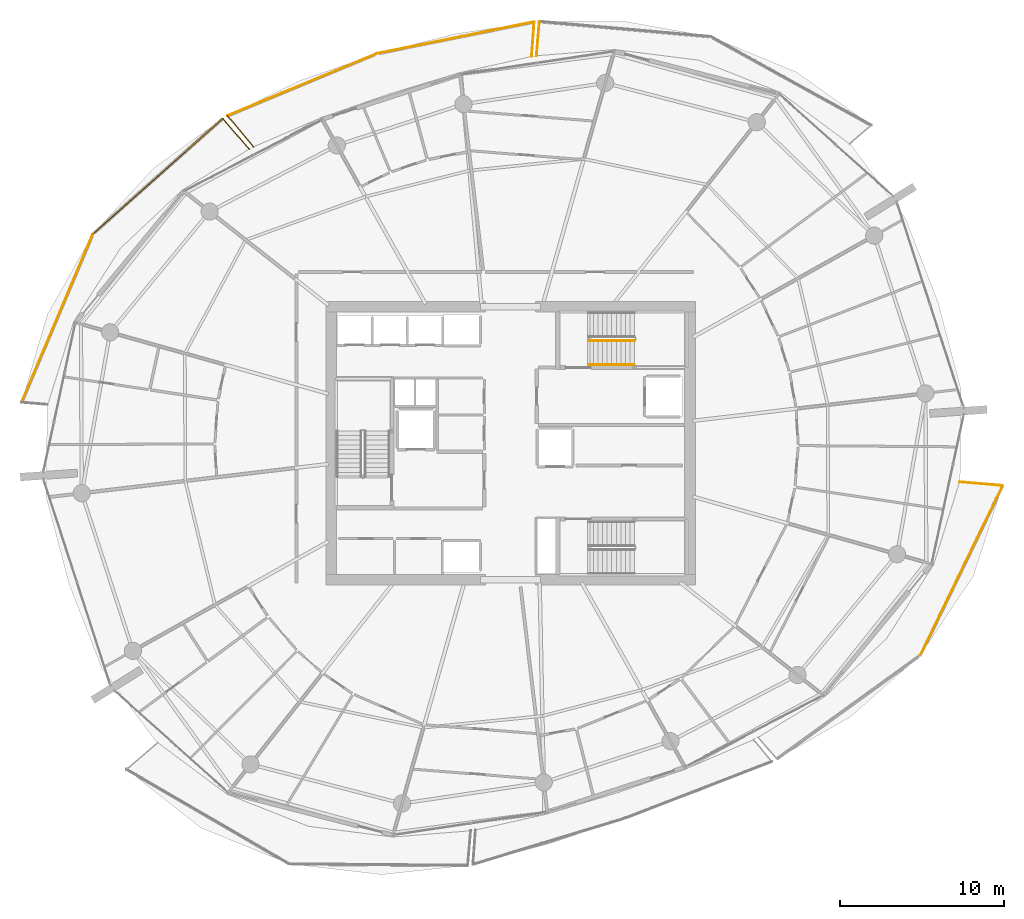
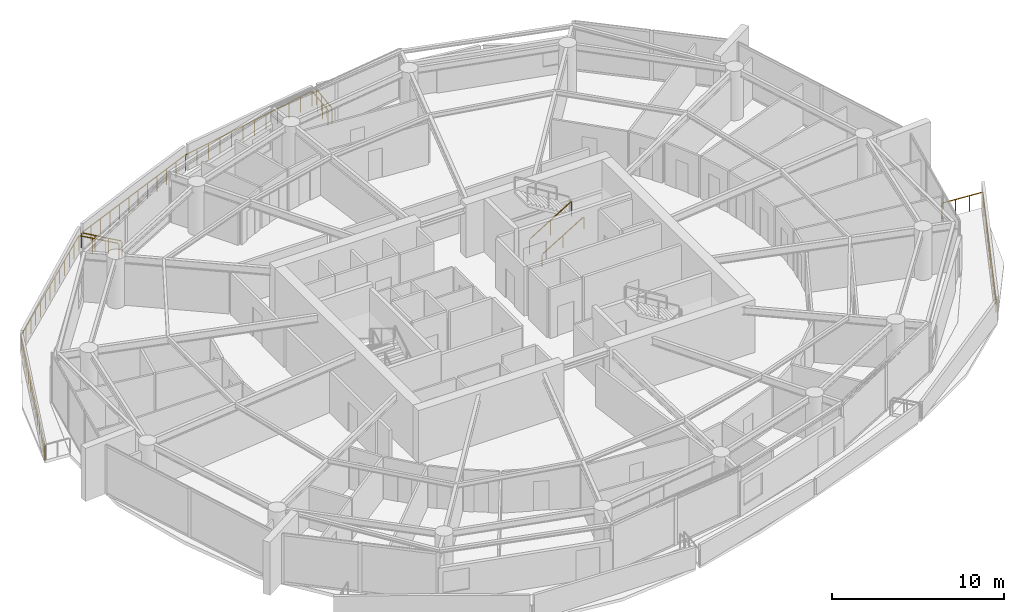
# One storey, part 19 of 20: 12 railings.
"""IFC4 building model written with IfcOpenShell, lengths in metres."""

from ifc_helpers import new_model, si_unit, direction, frame, origin, origin_2d, place, context, subcontext, project, spatial, rectangle, extrude, material, type_object, element, save


model = new_model("IFC4")

# Units and contexts
model_context = context("Model", 3, precision=1e-05, world=origin(), true_north=direction((0.0, 1.0)))
body_context = subcontext(model_context, "Body", "Model", "MODEL_VIEW")
ifc_project = project(units=[si_unit("LENGTHUNIT", "METRE"), si_unit("AREAUNIT", "SQUARE_METRE"), si_unit("VOLUMEUNIT", "CUBIC_METRE"), si_unit("PLANEANGLEUNIT", "RADIAN"), si_unit("MASSUNIT", "GRAM", prefix="KILO")], contexts=[model_context])

# Site, building, storey
site_placement = place(None, origin())
site = spatial("IfcSite", under=ifc_project, at=site_placement, CompositionType="ELEMENT")
building_placement = place(site_placement, origin())
building = spatial("IfcBuilding", under=site, at=building_placement, Name="Kazma Halo Residences", CompositionType="ELEMENT")
storey_placement = place(building_placement, frame((0.0, 0.0, 210.300048828125)))
storey = spatial("IfcBuildingStorey", under=building, at=storey_placement, Name="L53", CompositionType="ELEMENT", Elevation=210.300048828125)

# Railings
ifc_material_1 = material(Name="Aluminium AW-6063 T6 Brushed Cap Rail", Category="aluminium")
railing_type_1 = type_object("IfcRailingType", Name="RLG-BAL-CAP-1120", PredefinedType="BALUSTRADE", material=ifc_material_1)
railing_1_placement = place(storey_placement, frame((50.184814453125, 67.748046875, 0.0)))
element("IfcRailing", 1, at=railing_1_placement, inside=storey, type_object=railing_type_1, Name="L53 NE wave balcony guard 4", PredefinedType="BALUSTRADE", context=body_context, shape_type="SweptSolid", body=[
    extrude(rectangle(XDim=0.050048828125, YDim=0.050048828125, at=origin_2d()), frame((-0.003662109375, -0.04248046875, 1.09521484375), z_axis=(-0.084652453304, -0.99641053896, 0.0), x_axis=(0.99641053896, -0.084652453304, 0.0)), (0.0, 0.0, 1.0), 2.014404296875),
    extrude(rectangle(XDim=0.0400390625, YDim=0.0400390625, at=origin_2d()), origin(), (0.0, 0.0, 1.0), 1.05810546875),
    extrude(rectangle(XDim=0.0400390625, YDim=0.0400390625, at=origin_2d()), frame((-0.059326171875, -0.697265625, 0.0)), (0.0, 0.0, 1.0), 1.05810546875),
    extrude(rectangle(XDim=0.0400390625, YDim=0.0400390625, at=origin_2d()), frame((-0.118408203125, -1.394775390625, 0.0)), (0.0, 0.0, 1.0), 1.05810546875),
    extrude(rectangle(XDim=0.0400390625, YDim=0.0400390625, at=origin_2d()), frame((-0.177734375, -2.092041015625, 0.0)), (0.0, 0.0, 1.0), 1.05810546875),
])
railing_2_placement = place(storey_placement, frame((49.713134765625, 65.612060546875, 0.0)))
element("IfcRailing", 2, at=railing_2_placement, inside=storey, type_object=railing_type_1, Name="L53 NNW wave balcony guard 1", PredefinedType="BALUSTRADE", context=body_context, shape_type="SweptSolid", body=[
    extrude(rectangle(XDim=0.050048828125, YDim=0.050048828125, at=origin_2d()), frame((0.003173828125, 0.04248046875, 1.09521484375), z_axis=(0.072404117372, 0.997375377572, 0.0), x_axis=(-0.997375377572, 0.072404117372, 0.0)), (0.0, 0.0, 1.0), 2.029052734375),
    extrude(rectangle(XDim=0.0400390625, YDim=0.0400390625, at=origin_2d()), origin(), (0.0, 0.0, 1.0), 1.05810546875),
    extrude(rectangle(XDim=0.0400390625, YDim=0.0400390625, at=origin_2d()), frame((0.051025390625, 0.702880859375, 0.0)), (0.0, 0.0, 1.0), 1.05810546875),
    extrude(rectangle(XDim=0.0400390625, YDim=0.0400390625, at=origin_2d()), frame((0.10205078125, 1.40576171875, 0.0)), (0.0, 0.0, 1.0), 1.05810546875),
    extrude(rectangle(XDim=0.0400390625, YDim=0.0400390625, at=origin_2d()), frame((0.153076171875, 2.108642578125, 0.0)), (0.0, 0.0, 1.0), 1.05810546875),
])
railing_3_placement = place(storey_placement, frame((49.8662109375, 67.720703125, 0.0)))
element("IfcRailing", 3, at=railing_3_placement, inside=storey, type_object=railing_type_1, Name="L53 NNW wave balcony guard 2", PredefinedType="BALUSTRADE", context=body_context, shape_type="SweptSolid", body=[
    extrude(rectangle(XDim=0.050048828125, YDim=0.050048828125, at=origin_2d()), frame((-0.041748046875, -0.00830078125, 1.09521484375), z_axis=(-0.980370024715, -0.19716646429, 0.0), x_axis=(0.19716646429, -0.980370024715, 0.0)), (0.0, 0.0, 1.0), 9.703369140625),
    extrude(rectangle(XDim=0.0400390625, YDim=0.0400390625, at=origin_2d()), origin(), (0.0, 0.0, 1.0), 1.05810546875),
    extrude(rectangle(XDim=0.0400390625, YDim=0.0400390625, at=origin_2d()), frame((-0.872314453125, -0.175537109375, 0.0)), (0.0, 0.0, 1.0), 1.05810546875),
    extrude(rectangle(XDim=0.0400390625, YDim=0.0400390625, at=origin_2d()), frame((-1.744873046875, -0.350830078125, 0.0)), (0.0, 0.0, 1.0), 1.05810546875),
    extrude(rectangle(XDim=0.0400390625, YDim=0.0400390625, at=origin_2d()), frame((-2.6171875, -0.5263671875, 0.0)), (0.0, 0.0, 1.0), 1.05810546875),
    extrude(rectangle(XDim=0.0400390625, YDim=0.0400390625, at=origin_2d()), frame((-3.489501953125, -0.701904296875, 0.0)), (0.0, 0.0, 1.0), 1.05810546875),
    extrude(rectangle(XDim=0.0400390625, YDim=0.0400390625, at=origin_2d()), frame((-4.36181640625, -0.877197265625, 0.0)), (0.0, 0.0, 1.0), 1.05810546875),
    extrude(rectangle(XDim=0.0400390625, YDim=0.0400390625, at=origin_2d()), frame((-5.234375, -1.052734375, 0.0)), (0.0, 0.0, 1.0), 1.05810546875),
    extrude(rectangle(XDim=0.0400390625, YDim=0.0400390625, at=origin_2d()), frame((-6.106689453125, -1.22802734375, 0.0)), (0.0, 0.0, 1.0), 1.05810546875),
    extrude(rectangle(XDim=0.0400390625, YDim=0.0400390625, at=origin_2d()), frame((-6.97900390625, -1.403564453125, 0.0)), (0.0, 0.0, 1.0), 1.05810546875),
    extrude(rectangle(XDim=0.0400390625, YDim=0.0400390625, at=origin_2d()), frame((-7.851318359375, -1.5791015625, 0.0)), (0.0, 0.0, 1.0), 1.05810546875),
    extrude(rectangle(XDim=0.0400390625, YDim=0.0400390625, at=origin_2d()), frame((-8.723876953125, -1.75439453125, 0.0)), (0.0, 0.0, 1.0), 1.05810546875),
    extrude(rectangle(XDim=0.0400390625, YDim=0.0400390625, at=origin_2d()), frame((-9.59619140625, -1.929931640625, 0.0)), (0.0, 0.0, 1.0), 1.05810546875),
])
railing_4_placement = place(storey_placement, frame((40.27001953125, 65.790771484375, 0.0)))
element("IfcRailing", 4, at=railing_4_placement, inside=storey, type_object=railing_type_1, Name="L53 NNW wave balcony guard 3", PredefinedType="BALUSTRADE", context=body_context, shape_type="SweptSolid", body=[
    extrude(rectangle(XDim=0.050048828125, YDim=0.050048828125, at=origin_2d()), frame((-0.039306640625, -0.016357421875, 1.09521484375), z_axis=(-0.923265195377, -0.384163219226, 0.0), x_axis=(0.384163219226, -0.923265195377, 0.0)), (0.0, 0.0, 1.0), 9.807373046875),
    extrude(rectangle(XDim=0.0400390625, YDim=0.0400390625, at=origin_2d()), origin(), (0.0, 0.0, 1.0), 1.05810546875),
    extrude(rectangle(XDim=0.0400390625, YDim=0.0400390625, at=origin_2d()), frame((-0.830322265625, -0.345458984375, 0.0)), (0.0, 0.0, 1.0), 1.05810546875),
    extrude(rectangle(XDim=0.0400390625, YDim=0.0400390625, at=origin_2d()), frame((-1.66064453125, -0.69091796875, 0.0)), (0.0, 0.0, 1.0), 1.05810546875),
    extrude(rectangle(XDim=0.0400390625, YDim=0.0400390625, at=origin_2d()), frame((-2.490966796875, -1.036376953125, 0.0)), (0.0, 0.0, 1.0), 1.05810546875),
    extrude(rectangle(XDim=0.0400390625, YDim=0.0400390625, at=origin_2d()), frame((-3.3212890625, -1.3818359375, 0.0)), (0.0, 0.0, 1.0), 1.05810546875),
    extrude(rectangle(XDim=0.0400390625, YDim=0.0400390625, at=origin_2d()), frame((-4.151611328125, -1.727294921875, 0.0)), (0.0, 0.0, 1.0), 1.05810546875),
    extrude(rectangle(XDim=0.0400390625, YDim=0.0400390625, at=origin_2d()), frame((-4.981689453125, -2.072998046875, 0.0)), (0.0, 0.0, 1.0), 1.05810546875),
    extrude(rectangle(XDim=0.0400390625, YDim=0.0400390625, at=origin_2d()), frame((-5.81201171875, -2.41845703125, 0.0)), (0.0, 0.0, 1.0), 1.05810546875),
    extrude(rectangle(XDim=0.0400390625, YDim=0.0400390625, at=origin_2d()), frame((-6.642333984375, -2.763916015625, 0.0)), (0.0, 0.0, 1.0), 1.05810546875),
    extrude(rectangle(XDim=0.0400390625, YDim=0.0400390625, at=origin_2d()), frame((-7.47265625, -3.109375, 0.0)), (0.0, 0.0, 1.0), 1.05810546875),
    extrude(rectangle(XDim=0.0400390625, YDim=0.0400390625, at=origin_2d()), frame((-8.302978515625, -3.454833984375, 0.0)), (0.0, 0.0, 1.0), 1.05810546875),
    extrude(rectangle(XDim=0.0400390625, YDim=0.0400390625, at=origin_2d()), frame((-9.13330078125, -3.80029296875, 0.0)), (0.0, 0.0, 1.0), 1.05810546875),
])
railing_5_placement = place(storey_placement, frame((31.13671875, 61.990478515625, 0.0)))
element("IfcRailing", 5, at=railing_5_placement, inside=storey, type_object=railing_type_1, Name="L53 NNW wave balcony guard 4", PredefinedType="BALUSTRADE", context=body_context, shape_type="SweptSolid", body=[
    extrude(rectangle(XDim=0.050048828125, YDim=0.050048828125, at=origin_2d()), frame((0.02734375, -0.032470703125, 1.09521484375), z_axis=(0.644745092469, -0.764397648961, 0.0), x_axis=(0.764397648961, 0.644745092469, 0.0)), (0.0, 0.0, 1.0), 2.39404296875),
    extrude(rectangle(XDim=0.0400390625, YDim=0.0400390625, at=origin_2d()), origin(), (0.0, 0.0, 1.0), 1.05810546875),
    extrude(rectangle(XDim=0.0400390625, YDim=0.0400390625, at=origin_2d()), frame((0.53271484375, -0.631591796875, 0.0)), (0.0, 0.0, 1.0), 1.05810546875),
    extrude(rectangle(XDim=0.0400390625, YDim=0.0400390625, at=origin_2d()), frame((1.065673828125, -1.263427734375, 0.0)), (0.0, 0.0, 1.0), 1.05810546875),
    extrude(rectangle(XDim=0.0400390625, YDim=0.0400390625, at=origin_2d()), frame((1.598388671875, -1.89501953125, 0.0)), (0.0, 0.0, 1.0), 1.05810546875),
])
railing_6_placement = place(storey_placement, frame((32.471435546875, 59.958251953125, 0.0)))
element("IfcRailing", 6, at=railing_6_placement, inside=storey, type_object=railing_type_1, Name="L53 NW wave balcony guard 1", PredefinedType="BALUSTRADE", context=body_context, shape_type="SweptSolid", body=[
    extrude(rectangle(XDim=0.050048828125, YDim=0.050048828125, at=origin_2d()), frame((-0.02783203125, 0.0322265625, 1.09521484375), z_axis=(-0.654106085703, 0.756402821681, 0.0), x_axis=(-0.756402821681, -0.654106085703, 0.0)), (0.0, 0.0, 1.0), 2.385009765625),
    extrude(rectangle(XDim=0.0400390625, YDim=0.0400390625, at=origin_2d()), origin(), (0.0, 0.0, 1.0), 1.05810546875),
    extrude(rectangle(XDim=0.0400390625, YDim=0.0400390625, at=origin_2d()), frame((-0.53857421875, 0.622802734375, 0.0)), (0.0, 0.0, 1.0), 1.05810546875),
    extrude(rectangle(XDim=0.0400390625, YDim=0.0400390625, at=origin_2d()), frame((-1.0771484375, 1.24560546875, 0.0)), (0.0, 0.0, 1.0), 1.05810546875),
    extrude(rectangle(XDim=0.0400390625, YDim=0.0400390625, at=origin_2d()), frame((-1.61572265625, 1.868408203125, 0.0)), (0.0, 0.0, 1.0), 1.05810546875),
])
railing_7_placement = place(storey_placement, frame((30.855712890625, 61.82666015625, 0.0)))
element("IfcRailing", 7, at=railing_7_placement, inside=storey, type_object=railing_type_1, Name="L53 NW wave balcony guard 2", PredefinedType="BALUSTRADE", context=body_context, shape_type="SweptSolid", body=[
    extrude(rectangle(XDim=0.050048828125, YDim=0.050048828125, at=origin_2d()), frame((-0.03173828125, -0.0283203125, 1.09521484375), z_axis=(-0.747307756324, -0.664478078899, 0.0), x_axis=(0.664478078899, -0.747307756324, 0.0)), (0.0, 0.0, 1.0), 10.52587890625),
    extrude(rectangle(XDim=0.0400390625, YDim=0.0400390625, at=origin_2d()), origin(), (0.0, 0.0, 1.0), 1.05810546875),
    extrude(rectangle(XDim=0.0400390625, YDim=0.0400390625, at=origin_2d()), frame((-0.660888671875, -0.587646484375, 0.0)), (0.0, 0.0, 1.0), 1.05810546875),
    extrude(rectangle(XDim=0.0400390625, YDim=0.0400390625, at=origin_2d()), frame((-1.321533203125, -1.175048828125, 0.0)), (0.0, 0.0, 1.0), 1.05810546875),
    extrude(rectangle(XDim=0.0400390625, YDim=0.0400390625, at=origin_2d()), frame((-1.982421875, -1.7626953125, 0.0)), (0.0, 0.0, 1.0), 1.05810546875),
    extrude(rectangle(XDim=0.0400390625, YDim=0.0400390625, at=origin_2d()), frame((-2.643310546875, -2.350341796875, 0.0)), (0.0, 0.0, 1.0), 1.05810546875),
    extrude(rectangle(XDim=0.0400390625, YDim=0.0400390625, at=origin_2d()), frame((-3.303955078125, -2.937744140625, 0.0)), (0.0, 0.0, 1.0), 1.05810546875),
    extrude(rectangle(XDim=0.0400390625, YDim=0.0400390625, at=origin_2d()), frame((-3.96484375, -3.525390625, 0.0)), (0.0, 0.0, 1.0), 1.05810546875),
    extrude(rectangle(XDim=0.0400390625, YDim=0.0400390625, at=origin_2d()), frame((-4.625732421875, -4.113037109375, 0.0)), (0.0, 0.0, 1.0), 1.05810546875),
    extrude(rectangle(XDim=0.0400390625, YDim=0.0400390625, at=origin_2d()), frame((-5.286376953125, -4.700439453125, 0.0)), (0.0, 0.0, 1.0), 1.05810546875),
    extrude(rectangle(XDim=0.0400390625, YDim=0.0400390625, at=origin_2d()), frame((-5.947265625, -5.2880859375, 0.0)), (0.0, 0.0, 1.0), 1.05810546875),
    extrude(rectangle(XDim=0.0400390625, YDim=0.0400390625, at=origin_2d()), frame((-6.608154296875, -5.875732421875, 0.0)), (0.0, 0.0, 1.0), 1.05810546875),
    extrude(rectangle(XDim=0.0400390625, YDim=0.0400390625, at=origin_2d()), frame((-7.268798828125, -6.463134765625, 0.0)), (0.0, 0.0, 1.0), 1.05810546875),
    extrude(rectangle(XDim=0.0400390625, YDim=0.0400390625, at=origin_2d()), frame((-7.9296875, -7.05078125, 0.0)), (0.0, 0.0, 1.0), 1.05810546875),
])
railing_8_placement = place(storey_placement, frame((22.926025390625, 54.77587890625, 0.0)))
element("IfcRailing", 8, at=railing_8_placement, inside=storey, type_object=railing_type_1, Name="L53 NW wave balcony guard 3", PredefinedType="BALUSTRADE", context=body_context, shape_type="SweptSolid", body=[
    extrude(rectangle(XDim=0.050048828125, YDim=0.050048828125, at=origin_2d()), frame((-0.0166015625, -0.0390625, 1.09521484375), z_axis=(-0.390003836939, -0.920813231428, 0.0), x_axis=(0.920813231428, -0.390003836939, 0.0)), (0.0, 0.0, 1.0), 11.07763671875),
    extrude(rectangle(XDim=0.0400390625, YDim=0.0400390625, at=origin_2d()), origin(), (0.0, 0.0, 1.0), 1.05810546875),
    extrude(rectangle(XDim=0.0400390625, YDim=0.0400390625, at=origin_2d()), frame((-0.3349609375, -0.790771484375, 0.0)), (0.0, 0.0, 1.0), 1.05810546875),
    extrude(rectangle(XDim=0.0400390625, YDim=0.0400390625, at=origin_2d()), frame((-0.669677734375, -1.581298828125, 0.0)), (0.0, 0.0, 1.0), 1.05810546875),
    extrude(rectangle(XDim=0.0400390625, YDim=0.0400390625, at=origin_2d()), frame((-1.004638671875, -2.3720703125, 0.0)), (0.0, 0.0, 1.0), 1.05810546875),
    extrude(rectangle(XDim=0.0400390625, YDim=0.0400390625, at=origin_2d()), frame((-1.339599609375, -3.16259765625, 0.0)), (0.0, 0.0, 1.0), 1.05810546875),
    extrude(rectangle(XDim=0.0400390625, YDim=0.0400390625, at=origin_2d()), frame((-1.67431640625, -3.953369140625, 0.0)), (0.0, 0.0, 1.0), 1.05810546875),
    extrude(rectangle(XDim=0.0400390625, YDim=0.0400390625, at=origin_2d()), frame((-2.00927734375, -4.744140625, 0.0)), (0.0, 0.0, 1.0), 1.05810546875),
    extrude(rectangle(XDim=0.0400390625, YDim=0.0400390625, at=origin_2d()), frame((-2.34423828125, -5.53466796875, 0.0)), (0.0, 0.0, 1.0), 1.05810546875),
    extrude(rectangle(XDim=0.0400390625, YDim=0.0400390625, at=origin_2d()), frame((-2.67919921875, -6.325439453125, 0.0)), (0.0, 0.0, 1.0), 1.05810546875),
    extrude(rectangle(XDim=0.0400390625, YDim=0.0400390625, at=origin_2d()), frame((-3.013916015625, -7.1162109375, 0.0)), (0.0, 0.0, 1.0), 1.05810546875),
    extrude(rectangle(XDim=0.0400390625, YDim=0.0400390625, at=origin_2d()), frame((-3.348876953125, -7.90673828125, 0.0)), (0.0, 0.0, 1.0), 1.05810546875),
    extrude(rectangle(XDim=0.0400390625, YDim=0.0400390625, at=origin_2d()), frame((-3.683837890625, -8.697509765625, 0.0)), (0.0, 0.0, 1.0), 1.05810546875),
    extrude(rectangle(XDim=0.0400390625, YDim=0.0400390625, at=origin_2d()), frame((-4.0185546875, -9.488037109375, 0.0)), (0.0, 0.0, 1.0), 1.05810546875),
    extrude(rectangle(XDim=0.0400390625, YDim=0.0400390625, at=origin_2d()), frame((-4.353515625, -10.27880859375, 0.0)), (0.0, 0.0, 1.0), 1.05810546875),
])
railing_9_placement = place(storey_placement, frame((73.4287109375, 29.04345703125, 0.0)))
element("IfcRailing", 9, at=railing_9_placement, inside=storey, type_object=railing_type_1, Name="L53 SE wave balcony guard 3", PredefinedType="BALUSTRADE", context=body_context, shape_type="SweptSolid", body=[
    extrude(rectangle(XDim=0.050048828125, YDim=0.050048828125, at=origin_2d()), frame((0.0185546875, 0.038330078125, 1.09521484375), z_axis=(0.436713522419, 0.899600633246, 0.0), x_axis=(-0.899600633246, 0.436713522419, 0.0)), (0.0, 0.0, 1.0), 11.444091796875),
    extrude(rectangle(XDim=0.0400390625, YDim=0.0400390625, at=origin_2d()), origin(), (0.0, 0.0, 1.0), 1.05810546875),
    extrude(rectangle(XDim=0.0400390625, YDim=0.0400390625, at=origin_2d()), frame((0.38720703125, 0.7978515625, 0.0)), (0.0, 0.0, 1.0), 1.05810546875),
    extrude(rectangle(XDim=0.0400390625, YDim=0.0400390625, at=origin_2d()), frame((0.774658203125, 1.595703125, 0.0)), (0.0, 0.0, 1.0), 1.05810546875),
    extrude(rectangle(XDim=0.0400390625, YDim=0.0400390625, at=origin_2d()), frame((1.161865234375, 2.3935546875, 0.0)), (0.0, 0.0, 1.0), 1.05810546875),
    extrude(rectangle(XDim=0.0400390625, YDim=0.0400390625, at=origin_2d()), frame((1.54931640625, 3.191162109375, 0.0)), (0.0, 0.0, 1.0), 1.05810546875),
    extrude(rectangle(XDim=0.0400390625, YDim=0.0400390625, at=origin_2d()), frame((1.9365234375, 3.989013671875, 0.0)), (0.0, 0.0, 1.0), 1.05810546875),
    extrude(rectangle(XDim=0.0400390625, YDim=0.0400390625, at=origin_2d()), frame((2.32373046875, 4.786865234375, 0.0)), (0.0, 0.0, 1.0), 1.05810546875),
    extrude(rectangle(XDim=0.0400390625, YDim=0.0400390625, at=origin_2d()), frame((2.711181640625, 5.584716796875, 0.0)), (0.0, 0.0, 1.0), 1.05810546875),
    extrude(rectangle(XDim=0.0400390625, YDim=0.0400390625, at=origin_2d()), frame((3.098388671875, 6.382568359375, 0.0)), (0.0, 0.0, 1.0), 1.05810546875),
    extrude(rectangle(XDim=0.0400390625, YDim=0.0400390625, at=origin_2d()), frame((3.485595703125, 7.180419921875, 0.0)), (0.0, 0.0, 1.0), 1.05810546875),
    extrude(rectangle(XDim=0.0400390625, YDim=0.0400390625, at=origin_2d()), frame((3.873046875, 7.97802734375, 0.0)), (0.0, 0.0, 1.0), 1.05810546875),
    extrude(rectangle(XDim=0.0400390625, YDim=0.0400390625, at=origin_2d()), frame((4.26025390625, 8.77587890625, 0.0)), (0.0, 0.0, 1.0), 1.05810546875),
    extrude(rectangle(XDim=0.0400390625, YDim=0.0400390625, at=origin_2d()), frame((4.647705078125, 9.57373046875, 0.0)), (0.0, 0.0, 1.0), 1.05810546875),
    extrude(rectangle(XDim=0.0400390625, YDim=0.0400390625, at=origin_2d()), frame((5.034912109375, 10.37158203125, 0.0)), (0.0, 0.0, 1.0), 1.05810546875),
])
railing_10_placement = place(storey_placement, frame((78.463623046875, 39.4150390625, 0.0)))
element("IfcRailing", 10, at=railing_10_placement, inside=storey, type_object=railing_type_1, Name="L53 SE wave balcony guard 4", PredefinedType="BALUSTRADE", context=body_context, shape_type="SweptSolid", body=[
    extrude(rectangle(XDim=0.050048828125, YDim=0.050048828125, at=origin_2d()), frame((-0.04248046875, 0.003662109375, 1.09521484375), z_axis=(-0.996418270256, 0.084561401951, 0.0), x_axis=(-0.084561401951, -0.996418270256, 0.0)), (0.0, 0.0, 1.0), 2.5537109375),
    extrude(rectangle(XDim=0.0400390625, YDim=0.0400390625, at=origin_2d()), origin(), (0.0, 0.0, 1.0), 1.05810546875),
    extrude(rectangle(XDim=0.0400390625, YDim=0.0400390625, at=origin_2d()), frame((-0.87646484375, 0.074462890625, 0.0)), (0.0, 0.0, 1.0), 1.05810546875),
    extrude(rectangle(XDim=0.0400390625, YDim=0.0400390625, at=origin_2d()), frame((-1.7529296875, 0.148681640625, 0.0)), (0.0, 0.0, 1.0), 1.05810546875),
    extrude(rectangle(XDim=0.0400390625, YDim=0.0400390625, at=origin_2d()), frame((-2.62939453125, 0.22314453125, 0.0)), (0.0, 0.0, 1.0), 1.05810546875),
])
ifc_material_2 = material(Name="Painted Steel S355", Category="steel")
railing_type_2 = type_object("IfcRailingType", Name="RLG-STAIR-GRD-1100", PredefinedType="GUARDRAIL", material=ifc_material_2)
railing_11_placement = place(storey_placement, frame((53.199951171875, 48.25, 0.17041015625)))
element("IfcRailing", 11, at=railing_11_placement, inside=storey, type_object=railing_type_2, Name="L53 ST-02 stair guard 1", PredefinedType="GUARDRAIL", context=body_context, shape_type="SweptSolid", body=[
    extrude(rectangle(XDim=0.050048828125, YDim=0.050048828125, at=origin_2d()), frame((0.036376953125, 0.0, 1.09716796875), z_axis=(0.854169791009, 0.0, 0.51999420009), x_axis=(0.0, 1.0, 0.0)), (0.0, 0.0, 1.0), 3.193115234375),
    extrude(rectangle(XDim=0.0400390625, YDim=0.0400390625, at=origin_2d()), origin(), (0.0, 0.0, 1.0), 1.0380859375),
    extrude(rectangle(XDim=0.0400390625, YDim=0.0400390625, at=origin_2d()), frame((1.39990234375, 0.0, 0.852294921875)), (0.0, 0.0, 1.0), 1.0380859375),
    extrude(rectangle(XDim=0.0400390625, YDim=0.0400390625, at=origin_2d()), frame((2.800048828125, 0.0, 1.70458984375)), (0.0, 0.0, 1.0), 1.0380859375),
])
ifc_material_3 = material(Name="Brushed Stainless Steel", Category="steel")
railing_type_3 = type_object("IfcRailingType", Name="RLG-STAIR-HND-900", PredefinedType="HANDRAIL", material=ifc_material_3)
railing_12_placement = place(storey_placement, frame((53.199951171875, 46.800048828125, 0.17041015625)))
element("IfcRailing", 12, at=railing_12_placement, inside=storey, type_object=railing_type_3, Name="L53 ST-02 stair handrail 1", PredefinedType="HANDRAIL", context=body_context, shape_type="SweptSolid", body=[
    extrude(rectangle(XDim=0.050048828125, YDim=0.050048828125, at=origin_2d()), frame((0.036376953125, 0.0, 0.89697265625), z_axis=(0.854169791009, 0.0, 0.51999420009), x_axis=(0.0, 1.0, 0.0)), (0.0, 0.0, 1.0), 3.193115234375),
    extrude(rectangle(XDim=0.0400390625, YDim=0.0400390625, at=origin_2d()), origin(), (0.0, 0.0, 1.0), 0.837890625),
    extrude(rectangle(XDim=0.0400390625, YDim=0.0400390625, at=origin_2d()), frame((1.39990234375, 0.0, 0.852294921875)), (0.0, 0.0, 1.0), 0.837890625),
    extrude(rectangle(XDim=0.0400390625, YDim=0.0400390625, at=origin_2d()), frame((2.800048828125, 0.0, 1.70458984375)), (0.0, 0.0, 1.0), 0.837890625),
])

save(model, "model.ifc")
